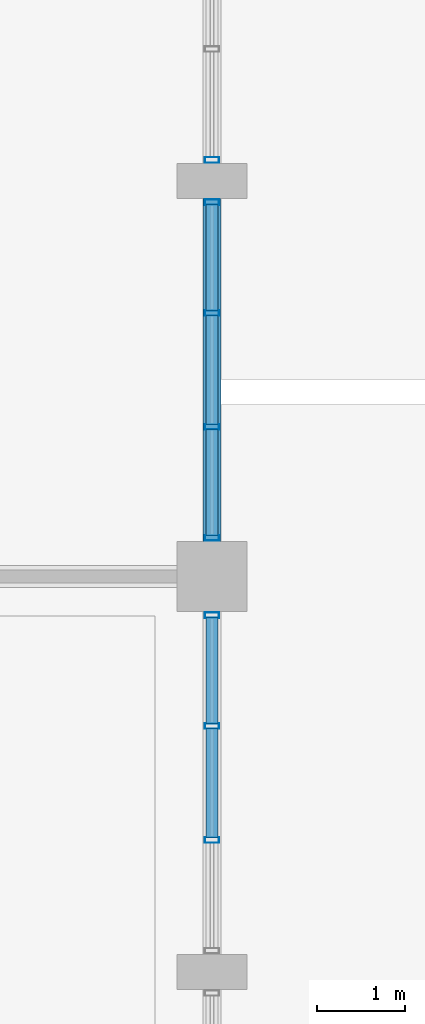
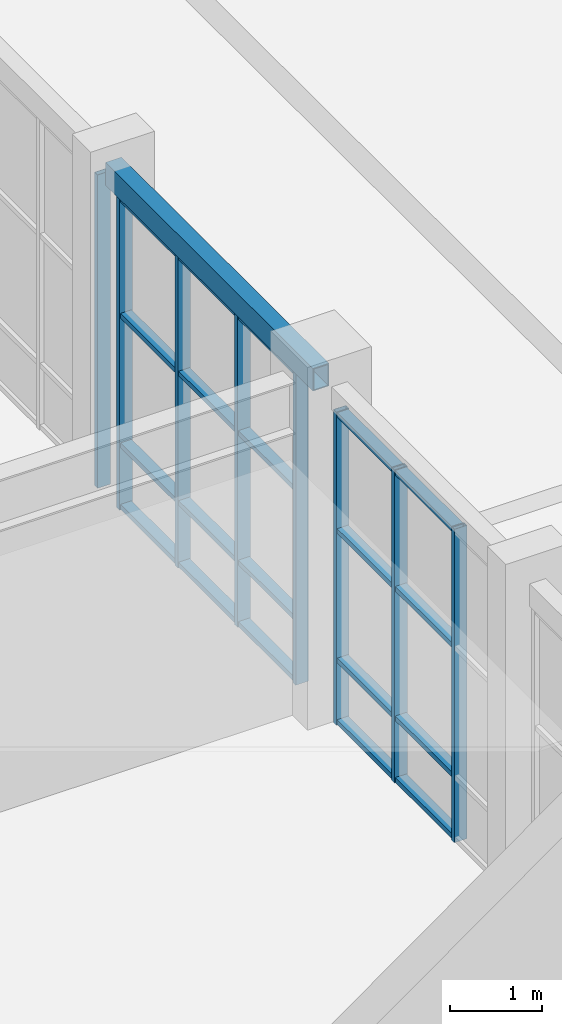
# One storey, part 19 of 47: 28 members, 1 beam, 3 elements without a shape of their own.
"""IFC4 building model written with IfcOpenShell, lengths in metres."""

from ifc_helpers import new_model, si_unit, direction, frame, origin, origin_2d, place, context, subcontext, project, spatial, hollow_rectangle, extrude, material, layer, layer_set, material_profile, profile_set, type_object, element, aggregate, save


model = new_model("IFC4")

# Units and contexts
model_context = context("Model", 3, precision=1e-05, world=origin(), true_north=direction((0.0, 1.0)))
body_context = subcontext(model_context, "Body", "Model", "MODEL_VIEW")
ifc_project = project(units=[si_unit("LENGTHUNIT", "METRE"), si_unit("AREAUNIT", "SQUARE_METRE"), si_unit("VOLUMEUNIT", "CUBIC_METRE"), si_unit("PLANEANGLEUNIT", "RADIAN"), si_unit("MASSUNIT", "GRAM", prefix="KILO")], contexts=[model_context])

# Site, building, storey
site_placement = place(None, origin())
site = spatial("IfcSite", under=ifc_project, at=site_placement, CompositionType="ELEMENT")
building_placement = place(site_placement, origin())
building = spatial("IfcBuilding", under=site, at=building_placement, Name="Ventoquebrada Cableway Terminal", CompositionType="ELEMENT")
storey_placement = place(building_placement, origin())
storey = spatial("IfcBuildingStorey", under=building, at=storey_placement, Name="L00", CompositionType="ELEMENT", Elevation=0.0)

# Curtain wall, members
ifc_material_1 = material(Name="Anodized thermally-broken aluminium", Category="aluminium")
ifc_layer = layer(ifc_material_1, 0.159912109375)
ifc_layer_set = layer_set([ifc_layer], Name="Anodized thermally-broken aluminium")
curtain_wall_type = type_object("IfcCurtainWallType", Name="CW-T13", PredefinedType="USERDEFINED", material=ifc_layer_set)
curtain_wall_1_placement = place(storey_placement, origin())
curtain_wall_1 = element("IfcCurtainWall", 1, at=curtain_wall_1_placement, inside=storey, type_object=curtain_wall_type, Name="Unitised glazed curtain wall CW-027", ObjectType="UNITISED CURTAIN WALL", PredefinedType="USERDEFINED")
ifc_material_profile_1 = material_profile(ifc_material_1, hollow_rectangle(XDim=0.06494140625, YDim=0.159912109375, WallThickness=0.00390625, at=origin_2d()), Name="CW-MUL-65X160")
ifc_profile_set_1 = profile_set([ifc_material_profile_1], Name="Anodized thermally-broken aluminium")
member_type_1 = type_object("IfcMemberType", Name="CWM-01", PredefinedType="MULLION", material=ifc_profile_set_1)
member_1_placement = place(storey_placement, frame((35.0, 83.001953125, -0.008056640625), z_axis=(0.0, 0.0, 1.0), x_axis=(0.0, 1.0, 0.0)))
member_1 = element("IfcMember", 2, at=member_1_placement, type_object=member_type_1, Name="Curtain wall mullion FML-0122", PredefinedType="MULLION", context=body_context, shape_type="SweptSolid", body=[
    extrude(hollow_rectangle(XDim=0.06494140625, YDim=0.159912109375, WallThickness=0.00390625, at=origin_2d()), origin(), (0.0, 0.0, 1.0), 4.14794921875),
])
member_2_placement = place(storey_placement, frame((35.0, 84.298095703125, -0.008056640625), z_axis=(0.0, 0.0, 1.0), x_axis=(0.0, 1.0, 0.0)))
member_2 = element("IfcMember", 3, at=member_2_placement, type_object=member_type_1, Name="Curtain wall mullion FML-0123", PredefinedType="MULLION", context=body_context, shape_type="SweptSolid", body=[
    extrude(hollow_rectangle(XDim=0.06494140625, YDim=0.159912109375, WallThickness=0.00390625, at=origin_2d()), origin(), (0.0, 0.0, 1.0), 4.14794921875),
])
member_3_placement = place(storey_placement, frame((35.0, 85.56005859375, -0.008056640625), z_axis=(0.0, 0.0, 1.0), x_axis=(0.0, 1.0, 0.0)))
member_3 = element("IfcMember", 4, at=member_3_placement, type_object=member_type_1, Name="Curtain wall mullion FML-0124", PredefinedType="MULLION", context=body_context, shape_type="SweptSolid", body=[
    extrude(hollow_rectangle(XDim=0.06494140625, YDim=0.159912109375, WallThickness=0.00390625, at=origin_2d()), origin(), (0.0, 0.0, 1.0), 4.14794921875),
])

curtain_wall_2_placement = place(storey_placement, origin())
curtain_wall_2 = element("IfcCurtainWall", 5, at=curtain_wall_2_placement, inside=storey, type_object=curtain_wall_type, Name="Unitised glazed curtain wall CW-028", ObjectType="UNITISED CURTAIN WALL", PredefinedType="USERDEFINED")
member_4_placement = place(storey_placement, frame((35.0, 86.43994140625, -0.008056640625), z_axis=(0.0, 0.0, 1.0), x_axis=(0.0, 1.0, 0.0)))
member_4 = element("IfcMember", 6, at=member_4_placement, type_object=member_type_1, Name="Curtain wall mullion FML-0125", PredefinedType="MULLION", context=body_context, shape_type="SweptSolid", body=[
    extrude(hollow_rectangle(XDim=0.06494140625, YDim=0.159912109375, WallThickness=0.00390625, at=origin_2d()), origin(), (0.0, 0.0, 1.0), 4.14794921875),
])
member_5_placement = place(storey_placement, frame((35.0, 87.701904296875, -0.008056640625), z_axis=(0.0, 0.0, 1.0), x_axis=(0.0, 1.0, 0.0)))
member_5 = element("IfcMember", 7, at=member_5_placement, type_object=member_type_1, Name="Curtain wall mullion FML-0126", PredefinedType="MULLION", context=body_context, shape_type="SweptSolid", body=[
    extrude(hollow_rectangle(XDim=0.06494140625, YDim=0.159912109375, WallThickness=0.00390625, at=origin_2d()), origin(), (0.0, 0.0, 1.0), 4.14794921875),
])
member_6_placement = place(storey_placement, frame((35.0, 88.998046875, -0.008056640625), z_axis=(0.0, 0.0, 1.0), x_axis=(0.0, 1.0, 0.0)))
member_6 = element("IfcMember", 8, at=member_6_placement, type_object=member_type_1, Name="Curtain wall mullion FML-0127", PredefinedType="MULLION", context=body_context, shape_type="SweptSolid", body=[
    extrude(hollow_rectangle(XDim=0.06494140625, YDim=0.159912109375, WallThickness=0.00390625, at=origin_2d()), origin(), (0.0, 0.0, 1.0), 4.14794921875),
])
member_7_placement = place(storey_placement, frame((35.0, 90.260009765625, -0.008056640625), z_axis=(0.0, 0.0, 1.0), x_axis=(0.0, 1.0, 0.0)))
member_7 = element("IfcMember", 9, at=member_7_placement, type_object=member_type_1, Name="Curtain wall mullion FML-0128", PredefinedType="MULLION", context=body_context, shape_type="SweptSolid", body=[
    extrude(hollow_rectangle(XDim=0.06494140625, YDim=0.159912109375, WallThickness=0.00390625, at=origin_2d()), origin(), (0.0, 0.0, 1.0), 4.14794921875),
])

# Curtain wall, member
curtain_wall_3_placement = place(storey_placement, origin())
curtain_wall_3 = element("IfcCurtainWall", 10, at=curtain_wall_3_placement, inside=storey, type_object=curtain_wall_type, Name="Unitised glazed curtain wall CW-029", ObjectType="UNITISED CURTAIN WALL", PredefinedType="USERDEFINED")
member_8_placement = place(storey_placement, frame((35.0, 90.739990234375, -0.008056640625), z_axis=(0.0, 0.0, 1.0), x_axis=(0.0, 1.0, 0.0)))
member_8 = element("IfcMember", 11, at=member_8_placement, type_object=member_type_1, Name="Curtain wall mullion FML-0129", PredefinedType="MULLION", context=body_context, shape_type="SweptSolid", body=[
    extrude(hollow_rectangle(XDim=0.06494140625, YDim=0.159912109375, WallThickness=0.00390625, at=origin_2d()), origin(), (0.0, 0.0, 1.0), 4.14794921875),
])
aggregate(curtain_wall_3, [member_8])

# Member
ifc_material_profile_2 = material_profile(ifc_material_1, hollow_rectangle(XDim=0.06494140625, YDim=0.139892578125, WallThickness=0.00390625, at=origin_2d()), Name="CW-TRN-65X140")
ifc_profile_set_2 = profile_set([ifc_material_profile_2], Name="Anodized thermally-broken aluminium")
member_type_2 = type_object("IfcMemberType", Name="CWT-01", PredefinedType="USERDEFINED", material=ifc_profile_set_2)
member_9_placement = place(storey_placement, frame((35.0, 83.029052734375, 0.034912109375), z_axis=(0.0, 1.0, 0.0), x_axis=(0.0, 0.0, 1.0)))
member_9 = element("IfcMember", 12, at=member_9_placement, type_object=member_type_2, Name="Curtain wall transom FTR-0359", ObjectType="TRANSOM", PredefinedType="USERDEFINED", context=body_context, shape_type="SweptSolid", body=[
    extrude(hollow_rectangle(XDim=0.06494140625, YDim=0.139892578125, WallThickness=0.00390625, at=origin_2d()), origin(), (0.0, 0.0, 1.0), 1.241943359375),
])

member_10_placement = place(storey_placement, frame((35.0, 83.029052734375, 0.85009765625), z_axis=(0.0, 1.0, 0.0), x_axis=(0.0, 0.0, 1.0)))
member_10 = element("IfcMember", 13, at=member_10_placement, type_object=member_type_2, Name="Curtain wall transom FTR-0360", ObjectType="TRANSOM", PredefinedType="USERDEFINED", context=body_context, shape_type="SweptSolid", body=[
    extrude(hollow_rectangle(XDim=0.06494140625, YDim=0.139892578125, WallThickness=0.00390625, at=origin_2d()), origin(), (0.0, 0.0, 1.0), 1.241943359375),
])

member_11_placement = place(storey_placement, frame((35.0, 83.029052734375, 2.56396484375), z_axis=(0.0, 1.0, 0.0), x_axis=(0.0, 0.0, 1.0)))
member_11 = element("IfcMember", 14, at=member_11_placement, type_object=member_type_2, Name="Curtain wall transom FTR-0361", ObjectType="TRANSOM", PredefinedType="USERDEFINED", context=body_context, shape_type="SweptSolid", body=[
    extrude(hollow_rectangle(XDim=0.06494140625, YDim=0.139892578125, WallThickness=0.00390625, at=origin_2d()), origin(), (0.0, 0.0, 1.0), 1.241943359375),
])

member_12_placement = place(storey_placement, frame((35.0, 83.029052734375, 4.10009765625), z_axis=(0.0, 1.0, 0.0), x_axis=(0.0, 0.0, 1.0)))
member_12 = element("IfcMember", 15, at=member_12_placement, type_object=member_type_2, Name="Curtain wall transom FTR-0362", ObjectType="TRANSOM", PredefinedType="USERDEFINED", context=body_context, shape_type="SweptSolid", body=[
    extrude(hollow_rectangle(XDim=0.06494140625, YDim=0.139892578125, WallThickness=0.00390625, at=origin_2d()), origin(), (0.0, 0.0, 1.0), 1.241943359375),
])

member_13_placement = place(storey_placement, frame((35.0, 84.325927734375, 0.034912109375), z_axis=(0.0, 1.0, 0.0), x_axis=(0.0, 0.0, 1.0)))
member_13 = element("IfcMember", 16, at=member_13_placement, type_object=member_type_2, Name="Curtain wall transom FTR-0363", ObjectType="TRANSOM", PredefinedType="USERDEFINED", context=body_context, shape_type="SweptSolid", body=[
    extrude(hollow_rectangle(XDim=0.06494140625, YDim=0.139892578125, WallThickness=0.00390625, at=origin_2d()), origin(), (0.0, 0.0, 1.0), 1.2060546875),
])

member_14_placement = place(storey_placement, frame((35.0, 84.325927734375, 0.85009765625), z_axis=(0.0, 1.0, 0.0), x_axis=(0.0, 0.0, 1.0)))
member_14 = element("IfcMember", 17, at=member_14_placement, type_object=member_type_2, Name="Curtain wall transom FTR-0364", ObjectType="TRANSOM", PredefinedType="USERDEFINED", context=body_context, shape_type="SweptSolid", body=[
    extrude(hollow_rectangle(XDim=0.06494140625, YDim=0.139892578125, WallThickness=0.00390625, at=origin_2d()), origin(), (0.0, 0.0, 1.0), 1.2060546875),
])

member_15_placement = place(storey_placement, frame((35.0, 84.325927734375, 2.56396484375), z_axis=(0.0, 1.0, 0.0), x_axis=(0.0, 0.0, 1.0)))
member_15 = element("IfcMember", 18, at=member_15_placement, type_object=member_type_2, Name="Curtain wall transom FTR-0365", ObjectType="TRANSOM", PredefinedType="USERDEFINED", context=body_context, shape_type="SweptSolid", body=[
    extrude(hollow_rectangle(XDim=0.06494140625, YDim=0.139892578125, WallThickness=0.00390625, at=origin_2d()), origin(), (0.0, 0.0, 1.0), 1.2060546875),
])

member_16_placement = place(storey_placement, frame((35.0, 84.325927734375, 4.10009765625), z_axis=(0.0, 1.0, 0.0), x_axis=(0.0, 0.0, 1.0)))
member_16 = element("IfcMember", 19, at=member_16_placement, type_object=member_type_2, Name="Curtain wall transom FTR-0366", ObjectType="TRANSOM", PredefinedType="USERDEFINED", context=body_context, shape_type="SweptSolid", body=[
    extrude(hollow_rectangle(XDim=0.06494140625, YDim=0.139892578125, WallThickness=0.00390625, at=origin_2d()), origin(), (0.0, 0.0, 1.0), 1.2060546875),
])

aggregate(curtain_wall_1, [member_1, member_2, member_3, member_9, member_10, member_11, member_12, member_13, member_14, member_15, member_16])

member_17_placement = place(storey_placement, frame((35.0, 86.468017578125, 0.034912109375), z_axis=(0.0, 1.0, 0.0), x_axis=(0.0, 0.0, 1.0)))
member_17 = element("IfcMember", 20, at=member_17_placement, type_object=member_type_2, Name="Curtain wall transom FTR-0367", ObjectType="TRANSOM", PredefinedType="USERDEFINED", context=body_context, shape_type="SweptSolid", body=[
    extrude(hollow_rectangle(XDim=0.06494140625, YDim=0.139892578125, WallThickness=0.00390625, at=origin_2d()), origin(), (0.0, 0.0, 1.0), 1.2060546875),
])

member_18_placement = place(storey_placement, frame((35.0, 86.468017578125, 0.85009765625), z_axis=(0.0, 1.0, 0.0), x_axis=(0.0, 0.0, 1.0)))
member_18 = element("IfcMember", 21, at=member_18_placement, type_object=member_type_2, Name="Curtain wall transom FTR-0368", ObjectType="TRANSOM", PredefinedType="USERDEFINED", context=body_context, shape_type="SweptSolid", body=[
    extrude(hollow_rectangle(XDim=0.06494140625, YDim=0.139892578125, WallThickness=0.00390625, at=origin_2d()), origin(), (0.0, 0.0, 1.0), 1.2060546875),
])

member_19_placement = place(storey_placement, frame((35.0, 86.468017578125, 2.56396484375), z_axis=(0.0, 1.0, 0.0), x_axis=(0.0, 0.0, 1.0)))
member_19 = element("IfcMember", 22, at=member_19_placement, type_object=member_type_2, Name="Curtain wall transom FTR-0369", ObjectType="TRANSOM", PredefinedType="USERDEFINED", context=body_context, shape_type="SweptSolid", body=[
    extrude(hollow_rectangle(XDim=0.06494140625, YDim=0.139892578125, WallThickness=0.00390625, at=origin_2d()), origin(), (0.0, 0.0, 1.0), 1.2060546875),
])

member_20_placement = place(storey_placement, frame((35.0, 86.468017578125, 4.10009765625), z_axis=(0.0, 1.0, 0.0), x_axis=(0.0, 0.0, 1.0)))
member_20 = element("IfcMember", 23, at=member_20_placement, type_object=member_type_2, Name="Curtain wall transom FTR-0370", ObjectType="TRANSOM", PredefinedType="USERDEFINED", context=body_context, shape_type="SweptSolid", body=[
    extrude(hollow_rectangle(XDim=0.06494140625, YDim=0.139892578125, WallThickness=0.00390625, at=origin_2d()), origin(), (0.0, 0.0, 1.0), 1.2060546875),
])

member_21_placement = place(storey_placement, frame((35.0, 87.72900390625, 0.034912109375), z_axis=(0.0, 1.0, 0.0), x_axis=(0.0, 0.0, 1.0)))
member_21 = element("IfcMember", 24, at=member_21_placement, type_object=member_type_2, Name="Curtain wall transom FTR-0371", ObjectType="TRANSOM", PredefinedType="USERDEFINED", context=body_context, shape_type="SweptSolid", body=[
    extrude(hollow_rectangle(XDim=0.06494140625, YDim=0.139892578125, WallThickness=0.00390625, at=origin_2d()), origin(), (0.0, 0.0, 1.0), 1.241943359375),
])

member_22_placement = place(storey_placement, frame((35.0, 87.72900390625, 0.85009765625), z_axis=(0.0, 1.0, 0.0), x_axis=(0.0, 0.0, 1.0)))
member_22 = element("IfcMember", 25, at=member_22_placement, type_object=member_type_2, Name="Curtain wall transom FTR-0372", ObjectType="TRANSOM", PredefinedType="USERDEFINED", context=body_context, shape_type="SweptSolid", body=[
    extrude(hollow_rectangle(XDim=0.06494140625, YDim=0.139892578125, WallThickness=0.00390625, at=origin_2d()), origin(), (0.0, 0.0, 1.0), 1.241943359375),
])

member_23_placement = place(storey_placement, frame((35.0, 87.72900390625, 2.56396484375), z_axis=(0.0, 1.0, 0.0), x_axis=(0.0, 0.0, 1.0)))
member_23 = element("IfcMember", 26, at=member_23_placement, type_object=member_type_2, Name="Curtain wall transom FTR-0373", ObjectType="TRANSOM", PredefinedType="USERDEFINED", context=body_context, shape_type="SweptSolid", body=[
    extrude(hollow_rectangle(XDim=0.06494140625, YDim=0.139892578125, WallThickness=0.00390625, at=origin_2d()), origin(), (0.0, 0.0, 1.0), 1.241943359375),
])

member_24_placement = place(storey_placement, frame((35.0, 87.72900390625, 4.10009765625), z_axis=(0.0, 1.0, 0.0), x_axis=(0.0, 0.0, 1.0)))
member_24 = element("IfcMember", 27, at=member_24_placement, type_object=member_type_2, Name="Curtain wall transom FTR-0374", ObjectType="TRANSOM", PredefinedType="USERDEFINED", context=body_context, shape_type="SweptSolid", body=[
    extrude(hollow_rectangle(XDim=0.06494140625, YDim=0.139892578125, WallThickness=0.00390625, at=origin_2d()), origin(), (0.0, 0.0, 1.0), 1.241943359375),
])

member_25_placement = place(storey_placement, frame((35.0, 89.02587890625, 0.034912109375), z_axis=(0.0, 1.0, 0.0), x_axis=(0.0, 0.0, 1.0)))
member_25 = element("IfcMember", 28, at=member_25_placement, type_object=member_type_2, Name="Curtain wall transom FTR-0375", ObjectType="TRANSOM", PredefinedType="USERDEFINED", context=body_context, shape_type="SweptSolid", body=[
    extrude(hollow_rectangle(XDim=0.06494140625, YDim=0.139892578125, WallThickness=0.00390625, at=origin_2d()), origin(), (0.0, 0.0, 1.0), 1.20703125),
])

member_26_placement = place(storey_placement, frame((35.0, 89.02587890625, 0.85009765625), z_axis=(0.0, 1.0, 0.0), x_axis=(0.0, 0.0, 1.0)))
member_26 = element("IfcMember", 29, at=member_26_placement, type_object=member_type_2, Name="Curtain wall transom FTR-0376", ObjectType="TRANSOM", PredefinedType="USERDEFINED", context=body_context, shape_type="SweptSolid", body=[
    extrude(hollow_rectangle(XDim=0.06494140625, YDim=0.139892578125, WallThickness=0.00390625, at=origin_2d()), origin(), (0.0, 0.0, 1.0), 1.20703125),
])

member_27_placement = place(storey_placement, frame((35.0, 89.02587890625, 2.56396484375), z_axis=(0.0, 1.0, 0.0), x_axis=(0.0, 0.0, 1.0)))
member_27 = element("IfcMember", 30, at=member_27_placement, type_object=member_type_2, Name="Curtain wall transom FTR-0377", ObjectType="TRANSOM", PredefinedType="USERDEFINED", context=body_context, shape_type="SweptSolid", body=[
    extrude(hollow_rectangle(XDim=0.06494140625, YDim=0.139892578125, WallThickness=0.00390625, at=origin_2d()), origin(), (0.0, 0.0, 1.0), 1.20703125),
])

member_28_placement = place(storey_placement, frame((35.0, 89.02587890625, 4.10009765625), z_axis=(0.0, 1.0, 0.0), x_axis=(0.0, 0.0, 1.0)))
member_28 = element("IfcMember", 31, at=member_28_placement, type_object=member_type_2, Name="Curtain wall transom FTR-0378", ObjectType="TRANSOM", PredefinedType="USERDEFINED", context=body_context, shape_type="SweptSolid", body=[
    extrude(hollow_rectangle(XDim=0.06494140625, YDim=0.139892578125, WallThickness=0.00390625, at=origin_2d()), origin(), (0.0, 0.0, 1.0), 1.20703125),
])

aggregate(curtain_wall_2, [member_4, member_5, member_6, member_7, member_17, member_18, member_19, member_20, member_21, member_22, member_23, member_24, member_25, member_26, member_27, member_28])

# Beam
ifc_material_2 = material(Name="Steel ASTM A500 Grade C", Category="steel")
ifc_material_profile_3 = material_profile(ifc_material_2, hollow_rectangle(XDim=0.199951171875, YDim=0.300048828125, WallThickness=0.012451171875, at=origin_2d()), Name="RHS300X200X12.5")
ifc_profile_set_3 = profile_set([ifc_material_profile_3], Name="Steel ASTM A500 Grade C")
beam_type = type_object("IfcBeamType", Name="SP-ST02", PredefinedType="SPANDREL", material=ifc_profile_set_3)
beam_placement = place(storey_placement, frame((35.0, 86.0, 4.2900390625), z_axis=(0.0, 1.0, 0.0), x_axis=(-1.0, 0.0, 0.0)))
element("IfcBeam", 32, at=beam_placement, inside=storey, type_object=beam_type, Name="Perimeter spandrel beam FBM-0371", PredefinedType="SPANDREL", context=body_context, shape_type="SweptSolid", body=[
    extrude(hollow_rectangle(XDim=0.199951171875, YDim=0.300048828125, WallThickness=0.012451171875, at=origin_2d()), origin(), (0.0, 0.0, 1.0), 4.5),
])

save(model, "model.ifc")
